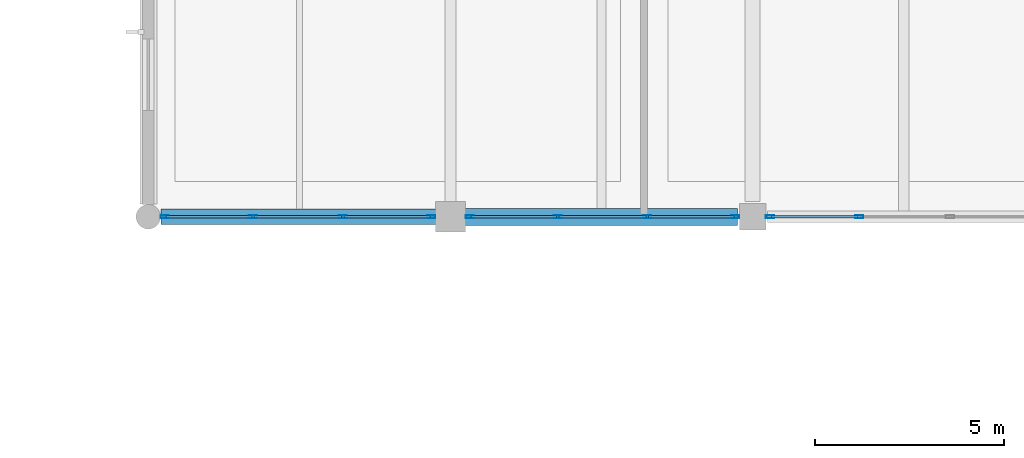
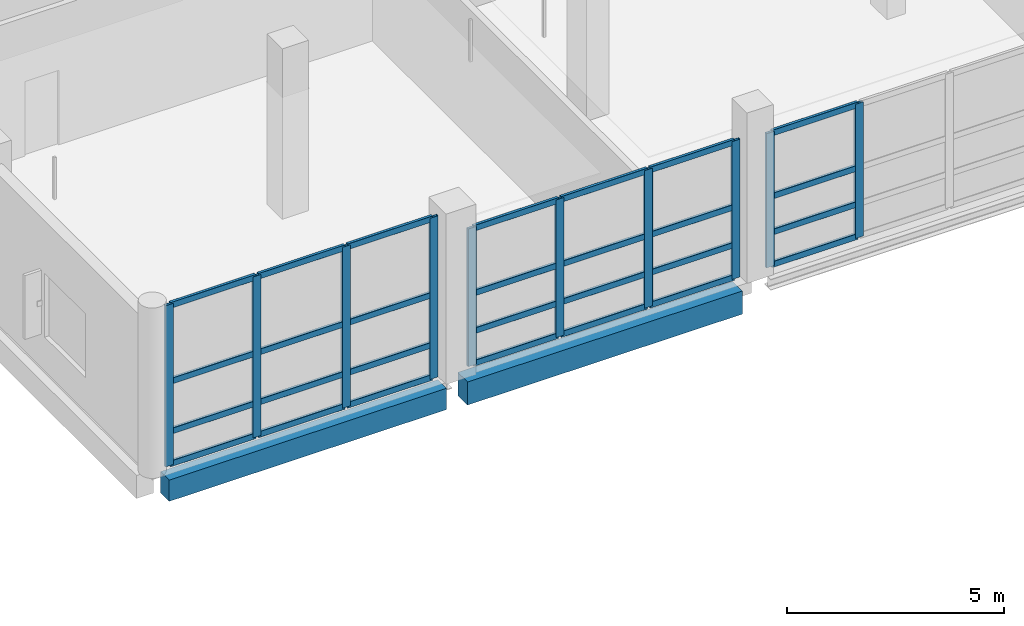
# One storey, part 15 of 46: 38 members, 2 beams, 3 elements without a shape of their own.
"""IFC4 building model written with IfcOpenShell, lengths in metres."""

import ifcopenshell
import ifcopenshell.guid

model = None  # the IFC model being written
_history = None  # IfcOwnerHistory: only IFC2X3 demands one
_inside = {}  # id of a spatial element -> (the spatial element, [elements in it])
_under = {}  # id of a project, library or spatial element -> (it, [spatial elements below it])
_declared = {}  # id of a project -> (the project, [libraries it declares])
_typed = {}  # id of a type object -> (the type object, [elements of that type])
_made_of = {}  # id of a material, layer set ... -> (it, [elements and type objects made of it])


def new_model(schema):
    """Start an empty IFC model of exactly this schema.

    Asked for "IFC4X3", IfcOpenShell would pick the latest addendum, in which some entities
    have other attributes; the version numbers below select the first issue.
    IFC2X3 requires an IfcOwnerHistory on every rooted entity: one is made here for all.
    """
    global model, _history
    if schema == "IFC4X3":
        model = ifcopenshell.file(schema_version=(4, 3, 0, 0))
    else:
        model = ifcopenshell.file(schema=schema)
    _inside.clear()
    _under.clear()
    _declared.clear()
    _typed.clear()
    _made_of.clear()
    _history = None
    if model.schema == "IFC2X3":
        org = make("IfcOrganization", Name="unknown")
        user = make(
            "IfcPersonAndOrganization",
            ThePerson=make("IfcPerson", FamilyName="unknown"),
            TheOrganization=org,
        )
        app = make(
            "IfcApplication",
            ApplicationDeveloper=org,
            Version="unknown",
            ApplicationFullName="unknown",
            ApplicationIdentifier="unknown",
        )
        _history = make(
            "IfcOwnerHistory",
            OwningUser=user,
            OwningApplication=app,
            ChangeAction="ADDED",
            CreationDate=0,
        )
    return model


def make(cls, **values):
    """One entity of the class cls with the attributes given. An attribute that is None is left unset."""
    return model.create_entity(
        cls, **{name: value for name, value in values.items() if value is not None}
    )


def rooted(cls, **values):
    """An entity with a GlobalId (a new one), such as an element, a storey or a relation."""
    return make(cls, GlobalId=ifcopenshell.guid.new(), OwnerHistory=_history, **values)


def si_unit(unit_type, name, prefix=None):
    """IfcSIUnit, for example si_unit("LENGTHUNIT", "METRE", prefix="MILLI")."""
    return make("IfcSIUnit", UnitType=unit_type, Prefix=prefix, Name=name)


def assignment(units):
    """IfcUnitAssignment: the units of a project."""
    return None if units is None else make("IfcUnitAssignment", Units=units)


def point(xyz):
    """IfcCartesianPoint."""
    return None if xyz is None else make("IfcCartesianPoint", Coordinates=xyz)


def direction(xyz):
    """IfcDirection."""
    return None if xyz is None else make("IfcDirection", DirectionRatios=xyz)


def frame(location, z_axis=None, x_axis=None):
    """IfcAxis2Placement3D, a coordinate frame: its origin and axes. An axis left out is left unset."""
    return make(
        "IfcAxis2Placement3D",
        Location=point(location),
        Axis=direction(z_axis),
        RefDirection=direction(x_axis),
    )


def frame_2d(location, x_axis=None):
    """IfcAxis2Placement2D, a coordinate frame in the plane: its origin and x axis."""
    return make(
        "IfcAxis2Placement2D", Location=point(location), RefDirection=direction(x_axis)
    )


def origin():
    """The frame at (0, 0, 0) with its axes left unset."""
    return frame((0.0, 0.0, 0.0))


def origin_2d():
    """The frame at (0, 0) in the plane with its x axis left unset."""
    return frame_2d((0.0, 0.0))


def place(relative_to, where):
    """IfcLocalPlacement: puts the frame where relative to a parent placement (None: the world)."""
    return make(
        "IfcLocalPlacement", PlacementRelTo=relative_to, RelativePlacement=where
    )


def context(
    kind, dimensions, precision=None, world=None, true_north=None, identifier=None
):
    """IfcGeometricRepresentationContext, for example the 3D "Model" context."""
    return make(
        "IfcGeometricRepresentationContext",
        ContextIdentifier=identifier,
        ContextType=kind,
        CoordinateSpaceDimension=dimensions,
        Precision=precision,
        WorldCoordinateSystem=world,
        TrueNorth=true_north,
    )


def subcontext(parent, identifier, kind, view, scale=None):
    """IfcGeometricRepresentationSubContext, for example "Body" below "Model"."""
    return make(
        "IfcGeometricRepresentationSubContext",
        ContextIdentifier=identifier,
        ContextType=kind,
        ParentContext=parent,
        TargetScale=scale,
        TargetView=view,
    )


def project(units=None, contexts=None):
    """IfcProject with its units and contexts."""
    return rooted(
        "IfcProject",
        Name="project",
        RepresentationContexts=contexts,
        UnitsInContext=assignment(units),
    )


def spatial(cls, under=None, at=None, **own):
    """A site, building, storey or space (cls), placed at a placement, below another one or the project."""
    s = rooted(cls, ObjectPlacement=at, **own)
    if under is not None:
        _under.setdefault(under.id(), (under, []))[1].append(s)
    return s


def profile(cls, at=None, kind="AREA", **sizes):
    """A parametric profile (cls). Its sizes go by their IFC names, for example OverallWidth=200.0."""
    return make(cls, ProfileType=kind, Position=at, **sizes)


def rectangle(**sizes):
    """IfcRectangleProfileDef."""
    return profile("IfcRectangleProfileDef", **sizes)


def hollow_rectangle(**sizes):
    """IfcRectangleHollowProfileDef."""
    return profile("IfcRectangleHollowProfileDef", **sizes)


def extrude(swept, where, along, depth):
    """IfcExtrudedAreaSolid: the profile swept, set in the frame where, extruded along a direction by depth."""
    return make(
        "IfcExtrudedAreaSolid",
        SweptArea=swept,
        Position=where,
        ExtrudedDirection=direction(along),
        Depth=depth,
    )


def shape(context_of_items, identifier, shape_type, items):
    """IfcShapeRepresentation: the items that make up one representation, for example the "Body"."""
    return make(
        "IfcShapeRepresentation",
        ContextOfItems=context_of_items,
        RepresentationIdentifier=identifier,
        RepresentationType=shape_type,
        Items=items,
    )


def material(Name=None, Category=None):
    """IfcMaterial."""
    return make("IfcMaterial", Name=Name, Category=Category)


def material_profile(
    of_material, cross_section, Name=None, Category=None, Priority=None
):
    """IfcMaterialProfile: a cross section and its material."""
    return make(
        "IfcMaterialProfile",
        Name=Name,
        Material=of_material,
        Profile=cross_section,
        Priority=Priority,
        Category=Category,
    )


def profile_set(profiles, Name=None, composite=None):
    """IfcMaterialProfileSet."""
    return make(
        "IfcMaterialProfileSet",
        Name=Name,
        MaterialProfiles=profiles,
        CompositeProfile=composite,
    )


def made_of(thing, what):
    """Note that an element or type object is made of a material, layer set ...; save() writes the relation."""
    if what is not None:
        _made_of.setdefault(what.id(), (what, []))[1].append(thing)
    return thing


def type_object(cls, material=None, **own):
    """A type object (cls), such as IfcWallType, which elements share."""
    return made_of(rooted(cls, **own), material)


def element(
    cls,
    number,
    at=None,
    inside=None,
    cuts=None,
    type_object=None,
    material=None,
    context=None,
    identifier="Body",
    shape_type=None,
    held_by="IfcProductDefinitionShape",
    body=None,
    shapes=None,
    **own,
):
    """One element of the class cls, such as IfcWall. Its Tag is "e" and its number.

    at: its placement. inside: the storey or other place that contains it. cuts: it is an
    opening in that element (IfcRelVoidsElement). A single representation is given by context,
    identifier, shape_type and body (its items); several are given by shapes. held_by: the class
    of the entity that holds the representations. save() writes the other relations.
    """
    e = rooted(cls, Tag="e%d" % number, ObjectPlacement=at, **own)
    if body is not None:
        shapes = [shape(context, identifier, shape_type, body)]
    if shapes is not None:
        e.Representation = make(held_by, Representations=shapes)
    if inside is not None:
        _inside.setdefault(inside.id(), (inside, []))[1].append(e)
    if cuts is not None:
        rooted(
            "IfcRelVoidsElement", RelatingBuildingElement=cuts, RelatedOpeningElement=e
        )
    if type_object is not None:
        _typed.setdefault(type_object.id(), (type_object, []))[1].append(e)
    return made_of(e, material)


def aggregate(whole, parts):
    """IfcRelAggregates: a whole, such as a stair, and the parts it consists of."""
    return rooted("IfcRelAggregates", RelatingObject=whole, RelatedObjects=parts)


def save(model, path):
    """Write the relations noted so far, then the file.

    IfcRelAggregates (storeys below a building ...), IfcRelContainedInSpatialStructure (elements
    in a storey), IfcRelDefinesByType, IfcRelAssociatesMaterial and IfcRelDeclares: one each for
    every whole, place, type object, material and project.
    """
    for whole, parts in _under.values():
        aggregate(whole, parts)
    for where, things in _inside.values():
        rooted(
            "IfcRelContainedInSpatialStructure",
            RelatedElements=things,
            RelatingStructure=where,
        )
    for kind, things in _typed.values():
        rooted("IfcRelDefinesByType", RelatedObjects=things, RelatingType=kind)
    for what, things in _made_of.values():
        rooted("IfcRelAssociatesMaterial", RelatedObjects=things, RelatingMaterial=what)
    for by, libraries in _declared.values():
        rooted("IfcRelDeclares", RelatingContext=by, RelatedDefinitions=libraries)
    model.write(path)


model = new_model("IFC4")

# Units and contexts
model_context = context("Model", 3, precision=1e-05, world=origin(), true_north=direction((0.0, 1.0)))
body_context = subcontext(model_context, "Body", "Model", "MODEL_VIEW")
ifc_project = project(units=[si_unit("LENGTHUNIT", "METRE"), si_unit("AREAUNIT", "SQUARE_METRE"), si_unit("VOLUMEUNIT", "CUBIC_METRE"), si_unit("PLANEANGLEUNIT", "RADIAN"), si_unit("MASSUNIT", "GRAM", prefix="KILO")], contexts=[model_context])

# Site, building, storey
site_placement = place(None, origin())
site = spatial("IfcSite", under=ifc_project, at=site_placement, CompositionType="ELEMENT")
building_placement = place(site_placement, origin())
building = spatial("IfcBuilding", under=site, at=building_placement, Name="Khelvaren Railside Concert Hall", CompositionType="ELEMENT")
storey_placement = place(building_placement, frame((0.0, 0.0, 19.800048828125)))
storey = spatial("IfcBuildingStorey", under=building, at=storey_placement, Name="L04", CompositionType="ELEMENT", Elevation=19.800048828125)

# Curtain wall, members
ifc_material_1 = material(Name="Triple-glazed solar-control glass", Category="glass")
curtain_wall_type_1 = type_object("IfcCurtainWallType", Name="CW14", PredefinedType="USERDEFINED", material=ifc_material_1)
curtain_wall_1_placement = place(storey_placement, origin())
curtain_wall_1 = element("IfcCurtainWall", 1, at=curtain_wall_1_placement, inside=storey, type_object=curtain_wall_type_1, Name="Unitised Curtain Wall CW-V5-L04-S-136", ObjectType="UNITISED CURTAIN WALL", PredefinedType="USERDEFINED")
ifc_material_2 = material(Name="Anodised architectural aluminium 6063-T6", Category="aluminium")
ifc_material_profile_1 = material_profile(ifc_material_2, hollow_rectangle(XDim=0.074951171875, YDim=0.219970703125, WallThickness=0.0048828125, InnerFilletRadius=0.0029296875, OuterFilletRadius=0.0048828125, at=origin_2d()), Name="CWM 75x220x5")
ifc_profile_set_1 = profile_set([ifc_material_profile_1], Name="Anodised architectural aluminium 6063-T6")
member_type_1 = type_object("IfcMemberType", Name="CWM13", PredefinedType="MULLION", material=ifc_profile_set_1)
member_1_placement = place(storey_placement, frame((143.489990234375, 91.199951171875, 0.0), z_axis=(0.0, 0.0, 1.0), x_axis=(0.0, -1.0, 0.0)))
member_1 = element("IfcMember", 2, at=member_1_placement, type_object=member_type_1, Name="CW14 mullion 1", PredefinedType="MULLION", context=body_context, shape_type="SweptSolid", body=[
    extrude(hollow_rectangle(XDim=0.074951171875, YDim=0.219970703125, WallThickness=0.0048828125, InnerFilletRadius=0.0029296875, OuterFilletRadius=0.0048828125, at=origin_2d()), origin(), (0.0, 0.0, 1.0), 4.5400390625),
])
member_2_placement = place(storey_placement, frame((141.15087890625, 91.199951171875, 0.0), z_axis=(0.0, 0.0, 1.0), x_axis=(0.0, -1.0, 0.0)))
member_2 = element("IfcMember", 3, at=member_2_placement, type_object=member_type_1, Name="CW14 mullion 2", PredefinedType="MULLION", context=body_context, shape_type="SweptSolid", body=[
    extrude(hollow_rectangle(XDim=0.074951171875, YDim=0.219970703125, WallThickness=0.0048828125, InnerFilletRadius=0.0029296875, OuterFilletRadius=0.0048828125, at=origin_2d()), origin(), (0.0, 0.0, 1.0), 4.5400390625),
])
member_3_placement = place(storey_placement, frame((138.774169921875, 91.199951171875, 0.0), z_axis=(0.0, 0.0, 1.0), x_axis=(0.0, -1.0, 0.0)))
member_3 = element("IfcMember", 4, at=member_3_placement, type_object=member_type_1, Name="CW14 mullion 3", PredefinedType="MULLION", context=body_context, shape_type="SweptSolid", body=[
    extrude(hollow_rectangle(XDim=0.074951171875, YDim=0.219970703125, WallThickness=0.0048828125, InnerFilletRadius=0.0029296875, OuterFilletRadius=0.0048828125, at=origin_2d()), origin(), (0.0, 0.0, 1.0), 4.5400390625),
])
member_4_placement = place(storey_placement, frame((136.43505859375, 91.199951171875, 0.0), z_axis=(0.0, 0.0, 1.0), x_axis=(0.0, -1.0, 0.0)))
member_4 = element("IfcMember", 5, at=member_4_placement, type_object=member_type_1, Name="CW14 mullion 4", PredefinedType="MULLION", context=body_context, shape_type="SweptSolid", body=[
    extrude(hollow_rectangle(XDim=0.074951171875, YDim=0.219970703125, WallThickness=0.0048828125, InnerFilletRadius=0.0029296875, OuterFilletRadius=0.0048828125, at=origin_2d()), origin(), (0.0, 0.0, 1.0), 4.5400390625),
])

curtain_wall_type_2 = type_object("IfcCurtainWallType", Name="CW80", PredefinedType="USERDEFINED", material=ifc_material_1)
curtain_wall_2_placement = place(storey_placement, origin())
curtain_wall_2 = element("IfcCurtainWall", 6, at=curtain_wall_2_placement, inside=storey, type_object=curtain_wall_type_2, Name="Unitised Curtain Wall CW-V5-L04-S-144", ObjectType="UNITISED CURTAIN WALL", PredefinedType="USERDEFINED")
member_5_placement = place(storey_placement, frame((151.5400390625, 91.199951171875, 0.0), z_axis=(0.0, 0.0, 1.0), x_axis=(0.0, -1.0, 0.0)))
member_5 = element("IfcMember", 7, at=member_5_placement, type_object=member_type_1, Name="CW80 mullion 1", PredefinedType="MULLION", context=body_context, shape_type="SweptSolid", body=[
    extrude(hollow_rectangle(XDim=0.074951171875, YDim=0.219970703125, WallThickness=0.0048828125, InnerFilletRadius=0.0029296875, OuterFilletRadius=0.0048828125, at=origin_2d()), origin(), (0.0, 0.0, 1.0), 3.8798828125),
])
member_6_placement = place(storey_placement, frame((149.209228515625, 91.199951171875, 0.0), z_axis=(0.0, 0.0, 1.0), x_axis=(0.0, -1.0, 0.0)))
member_6 = element("IfcMember", 8, at=member_6_placement, type_object=member_type_1, Name="CW80 mullion 2", PredefinedType="MULLION", context=body_context, shape_type="SweptSolid", body=[
    extrude(hollow_rectangle(XDim=0.074951171875, YDim=0.219970703125, WallThickness=0.0048828125, InnerFilletRadius=0.0029296875, OuterFilletRadius=0.0048828125, at=origin_2d()), origin(), (0.0, 0.0, 1.0), 3.8798828125),
])
member_7_placement = place(storey_placement, frame((146.8408203125, 91.199951171875, 0.0), z_axis=(0.0, 0.0, 1.0), x_axis=(0.0, -1.0, 0.0)))
member_7 = element("IfcMember", 9, at=member_7_placement, type_object=member_type_1, Name="CW80 mullion 3", PredefinedType="MULLION", context=body_context, shape_type="SweptSolid", body=[
    extrude(hollow_rectangle(XDim=0.074951171875, YDim=0.219970703125, WallThickness=0.0048828125, InnerFilletRadius=0.0029296875, OuterFilletRadius=0.0048828125, at=origin_2d()), origin(), (0.0, 0.0, 1.0), 3.8798828125),
])
member_8_placement = place(storey_placement, frame((144.510009765625, 91.199951171875, 0.0), z_axis=(0.0, 0.0, 1.0), x_axis=(0.0, -1.0, 0.0)))
member_8 = element("IfcMember", 10, at=member_8_placement, type_object=member_type_1, Name="CW80 mullion 4", PredefinedType="MULLION", context=body_context, shape_type="SweptSolid", body=[
    extrude(hollow_rectangle(XDim=0.074951171875, YDim=0.219970703125, WallThickness=0.0048828125, InnerFilletRadius=0.0029296875, OuterFilletRadius=0.0048828125, at=origin_2d()), origin(), (0.0, 0.0, 1.0), 3.8798828125),
])

curtain_wall_type_3 = type_object("IfcCurtainWallType", Name="CW41", PredefinedType="USERDEFINED", material=ifc_material_1)
curtain_wall_3_placement = place(storey_placement, origin())
curtain_wall_3 = element("IfcCurtainWall", 11, at=curtain_wall_3_placement, inside=storey, type_object=curtain_wall_type_3, Name="Unitised Curtain Wall CW-V5-L04-S-152", ObjectType="UNITISED CURTAIN WALL", PredefinedType="USERDEFINED")
member_9_placement = place(storey_placement, frame((154.82421875, 91.199951171875, 0.0), z_axis=(0.0, 0.0, 1.0), x_axis=(0.0, -1.0, 0.0)))
member_9 = element("IfcMember", 12, at=member_9_placement, type_object=member_type_1, Name="CW41 mullion 3", PredefinedType="MULLION", context=body_context, shape_type="SweptSolid", body=[
    extrude(hollow_rectangle(XDim=0.074951171875, YDim=0.219970703125, WallThickness=0.0048828125, InnerFilletRadius=0.0029296875, OuterFilletRadius=0.0048828125, at=origin_2d()), origin(), (0.0, 0.0, 1.0), 3.780029296875),
])
member_10_placement = place(storey_placement, frame((152.4599609375, 91.199951171875, 0.0), z_axis=(0.0, 0.0, 1.0), x_axis=(0.0, -1.0, 0.0)))
member_10 = element("IfcMember", 13, at=member_10_placement, type_object=member_type_1, Name="CW41 mullion 4", PredefinedType="MULLION", context=body_context, shape_type="SweptSolid", body=[
    extrude(hollow_rectangle(XDim=0.074951171875, YDim=0.219970703125, WallThickness=0.0048828125, InnerFilletRadius=0.0029296875, OuterFilletRadius=0.0048828125, at=origin_2d()), origin(), (0.0, 0.0, 1.0), 3.780029296875),
])

# Member
ifc_material_profile_2 = material_profile(ifc_material_2, hollow_rectangle(XDim=0.074951171875, YDim=0.1650390625, WallThickness=0.00390625, InnerFilletRadius=0.001953125, OuterFilletRadius=0.00390625, at=origin_2d()), Name="CWT 75x165x4")
ifc_profile_set_2 = profile_set([ifc_material_profile_2], Name="Anodised architectural aluminium 6063-T6")
member_type_2 = type_object("IfcMemberType", Name="CWT46", PredefinedType="USERDEFINED", material=ifc_profile_set_2)
member_11_placement = place(storey_placement, frame((143.452392578125, 91.199951171875, 0.037353515625), z_axis=(-1.0, 0.0, 0.0), x_axis=(0.0, -1.0, 0.0)))
member_11 = element("IfcMember", 14, at=member_11_placement, type_object=member_type_2, Name="CW14 transom 1.1", ObjectType="TRANSOM", PredefinedType="USERDEFINED", context=body_context, shape_type="SweptSolid", body=[
    extrude(hollow_rectangle(XDim=0.074951171875, YDim=0.1650390625, WallThickness=0.00390625, InnerFilletRadius=0.001953125, OuterFilletRadius=0.00390625, at=origin_2d()), origin(), (0.0, 0.0, 1.0), 2.26416015625),
])

member_12_placement = place(storey_placement, frame((143.452392578125, 91.199951171875, 0.949951171875), z_axis=(-1.0, 0.0, 0.0), x_axis=(0.0, -1.0, 0.0)))
member_12 = element("IfcMember", 15, at=member_12_placement, type_object=member_type_2, Name="CW14 transom 1.2", ObjectType="TRANSOM", PredefinedType="USERDEFINED", context=body_context, shape_type="SweptSolid", body=[
    extrude(hollow_rectangle(XDim=0.074951171875, YDim=0.1650390625, WallThickness=0.00390625, InnerFilletRadius=0.001953125, OuterFilletRadius=0.00390625, at=origin_2d()), origin(), (0.0, 0.0, 1.0), 2.26416015625),
])

member_13_placement = place(storey_placement, frame((143.452392578125, 91.199951171875, 2.36083984375), z_axis=(-1.0, 0.0, 0.0), x_axis=(0.0, -1.0, 0.0)))
member_13 = element("IfcMember", 16, at=member_13_placement, type_object=member_type_2, Name="CW14 transom 1.3", ObjectType="TRANSOM", PredefinedType="USERDEFINED", context=body_context, shape_type="SweptSolid", body=[
    extrude(hollow_rectangle(XDim=0.074951171875, YDim=0.1650390625, WallThickness=0.00390625, InnerFilletRadius=0.001953125, OuterFilletRadius=0.00390625, at=origin_2d()), origin(), (0.0, 0.0, 1.0), 2.26416015625),
])

member_14_placement = place(storey_placement, frame((143.452392578125, 91.199951171875, 4.50244140625), z_axis=(-1.0, 0.0, 0.0), x_axis=(0.0, -1.0, 0.0)))
member_14 = element("IfcMember", 17, at=member_14_placement, type_object=member_type_2, Name="CW14 transom 1.4", ObjectType="TRANSOM", PredefinedType="USERDEFINED", context=body_context, shape_type="SweptSolid", body=[
    extrude(hollow_rectangle(XDim=0.074951171875, YDim=0.1650390625, WallThickness=0.00390625, InnerFilletRadius=0.001953125, OuterFilletRadius=0.00390625, at=origin_2d()), origin(), (0.0, 0.0, 1.0), 2.26416015625),
])

member_15_placement = place(storey_placement, frame((141.11328125, 91.199951171875, 0.037353515625), z_axis=(-1.0, 0.0, 0.0), x_axis=(0.0, -1.0, 0.0)))
member_15 = element("IfcMember", 18, at=member_15_placement, type_object=member_type_2, Name="CW14 transom 2.1", ObjectType="TRANSOM", PredefinedType="USERDEFINED", context=body_context, shape_type="SweptSolid", body=[
    extrude(hollow_rectangle(XDim=0.074951171875, YDim=0.1650390625, WallThickness=0.00390625, InnerFilletRadius=0.001953125, OuterFilletRadius=0.00390625, at=origin_2d()), origin(), (0.0, 0.0, 1.0), 2.301513671875),
])

member_16_placement = place(storey_placement, frame((141.11328125, 91.199951171875, 0.949951171875), z_axis=(-1.0, 0.0, 0.0), x_axis=(0.0, -1.0, 0.0)))
member_16 = element("IfcMember", 19, at=member_16_placement, type_object=member_type_2, Name="CW14 transom 2.2", ObjectType="TRANSOM", PredefinedType="USERDEFINED", context=body_context, shape_type="SweptSolid", body=[
    extrude(hollow_rectangle(XDim=0.074951171875, YDim=0.1650390625, WallThickness=0.00390625, InnerFilletRadius=0.001953125, OuterFilletRadius=0.00390625, at=origin_2d()), origin(), (0.0, 0.0, 1.0), 2.301513671875),
])

member_17_placement = place(storey_placement, frame((141.11328125, 91.199951171875, 2.36083984375), z_axis=(-1.0, 0.0, 0.0), x_axis=(0.0, -1.0, 0.0)))
member_17 = element("IfcMember", 20, at=member_17_placement, type_object=member_type_2, Name="CW14 transom 2.3", ObjectType="TRANSOM", PredefinedType="USERDEFINED", context=body_context, shape_type="SweptSolid", body=[
    extrude(hollow_rectangle(XDim=0.074951171875, YDim=0.1650390625, WallThickness=0.00390625, InnerFilletRadius=0.001953125, OuterFilletRadius=0.00390625, at=origin_2d()), origin(), (0.0, 0.0, 1.0), 2.301513671875),
])

member_18_placement = place(storey_placement, frame((141.11328125, 91.199951171875, 4.50244140625), z_axis=(-1.0, 0.0, 0.0), x_axis=(0.0, -1.0, 0.0)))
member_18 = element("IfcMember", 21, at=member_18_placement, type_object=member_type_2, Name="CW14 transom 2.4", ObjectType="TRANSOM", PredefinedType="USERDEFINED", context=body_context, shape_type="SweptSolid", body=[
    extrude(hollow_rectangle(XDim=0.074951171875, YDim=0.1650390625, WallThickness=0.00390625, InnerFilletRadius=0.001953125, OuterFilletRadius=0.00390625, at=origin_2d()), origin(), (0.0, 0.0, 1.0), 2.301513671875),
])

member_19_placement = place(storey_placement, frame((138.736572265625, 91.199951171875, 0.037353515625), z_axis=(-1.0, 0.0, 0.0), x_axis=(0.0, -1.0, 0.0)))
member_19 = element("IfcMember", 22, at=member_19_placement, type_object=member_type_2, Name="CW14 transom 3.1", ObjectType="TRANSOM", PredefinedType="USERDEFINED", context=body_context, shape_type="SweptSolid", body=[
    extrude(hollow_rectangle(XDim=0.074951171875, YDim=0.1650390625, WallThickness=0.00390625, InnerFilletRadius=0.001953125, OuterFilletRadius=0.00390625, at=origin_2d()), origin(), (0.0, 0.0, 1.0), 2.26416015625),
])

member_20_placement = place(storey_placement, frame((138.736572265625, 91.199951171875, 0.949951171875), z_axis=(-1.0, 0.0, 0.0), x_axis=(0.0, -1.0, 0.0)))
member_20 = element("IfcMember", 23, at=member_20_placement, type_object=member_type_2, Name="CW14 transom 3.2", ObjectType="TRANSOM", PredefinedType="USERDEFINED", context=body_context, shape_type="SweptSolid", body=[
    extrude(hollow_rectangle(XDim=0.074951171875, YDim=0.1650390625, WallThickness=0.00390625, InnerFilletRadius=0.001953125, OuterFilletRadius=0.00390625, at=origin_2d()), origin(), (0.0, 0.0, 1.0), 2.26416015625),
])

member_21_placement = place(storey_placement, frame((138.736572265625, 91.199951171875, 2.36083984375), z_axis=(-1.0, 0.0, 0.0), x_axis=(0.0, -1.0, 0.0)))
member_21 = element("IfcMember", 24, at=member_21_placement, type_object=member_type_2, Name="CW14 transom 3.3", ObjectType="TRANSOM", PredefinedType="USERDEFINED", context=body_context, shape_type="SweptSolid", body=[
    extrude(hollow_rectangle(XDim=0.074951171875, YDim=0.1650390625, WallThickness=0.00390625, InnerFilletRadius=0.001953125, OuterFilletRadius=0.00390625, at=origin_2d()), origin(), (0.0, 0.0, 1.0), 2.26416015625),
])

member_22_placement = place(storey_placement, frame((138.736572265625, 91.199951171875, 4.50244140625), z_axis=(-1.0, 0.0, 0.0), x_axis=(0.0, -1.0, 0.0)))
member_22 = element("IfcMember", 25, at=member_22_placement, type_object=member_type_2, Name="CW14 transom 3.4", ObjectType="TRANSOM", PredefinedType="USERDEFINED", context=body_context, shape_type="SweptSolid", body=[
    extrude(hollow_rectangle(XDim=0.074951171875, YDim=0.1650390625, WallThickness=0.00390625, InnerFilletRadius=0.001953125, OuterFilletRadius=0.00390625, at=origin_2d()), origin(), (0.0, 0.0, 1.0), 2.26416015625),
])

aggregate(curtain_wall_1, [member_1, member_2, member_3, member_4, member_11, member_12, member_13, member_14, member_15, member_16, member_17, member_18, member_19, member_20, member_21, member_22])

member_23_placement = place(storey_placement, frame((151.50244140625, 91.199951171875, 0.037353515625), z_axis=(-1.0, 0.0, 0.0), x_axis=(0.0, -1.0, 0.0)))
member_23 = element("IfcMember", 26, at=member_23_placement, type_object=member_type_2, Name="CW80 transom 1.1", ObjectType="TRANSOM", PredefinedType="USERDEFINED", context=body_context, shape_type="SweptSolid", body=[
    extrude(hollow_rectangle(XDim=0.074951171875, YDim=0.1650390625, WallThickness=0.00390625, InnerFilletRadius=0.001953125, OuterFilletRadius=0.00390625, at=origin_2d()), origin(), (0.0, 0.0, 1.0), 2.255859375),
])

member_24_placement = place(storey_placement, frame((151.50244140625, 91.199951171875, 0.949951171875), z_axis=(-1.0, 0.0, 0.0), x_axis=(0.0, -1.0, 0.0)))
member_24 = element("IfcMember", 27, at=member_24_placement, type_object=member_type_2, Name="CW80 transom 1.2", ObjectType="TRANSOM", PredefinedType="USERDEFINED", context=body_context, shape_type="SweptSolid", body=[
    extrude(hollow_rectangle(XDim=0.074951171875, YDim=0.1650390625, WallThickness=0.00390625, InnerFilletRadius=0.001953125, OuterFilletRadius=0.00390625, at=origin_2d()), origin(), (0.0, 0.0, 1.0), 2.255859375),
])

member_25_placement = place(storey_placement, frame((151.50244140625, 91.199951171875, 2.017578125), z_axis=(-1.0, 0.0, 0.0), x_axis=(0.0, -1.0, 0.0)))
member_25 = element("IfcMember", 28, at=member_25_placement, type_object=member_type_2, Name="CW80 transom 1.3", ObjectType="TRANSOM", PredefinedType="USERDEFINED", context=body_context, shape_type="SweptSolid", body=[
    extrude(hollow_rectangle(XDim=0.074951171875, YDim=0.1650390625, WallThickness=0.00390625, InnerFilletRadius=0.001953125, OuterFilletRadius=0.00390625, at=origin_2d()), origin(), (0.0, 0.0, 1.0), 2.255859375),
])

member_26_placement = place(storey_placement, frame((151.50244140625, 91.199951171875, 3.842529296875), z_axis=(-1.0, 0.0, 0.0), x_axis=(0.0, -1.0, 0.0)))
member_26 = element("IfcMember", 29, at=member_26_placement, type_object=member_type_2, Name="CW80 transom 1.4", ObjectType="TRANSOM", PredefinedType="USERDEFINED", context=body_context, shape_type="SweptSolid", body=[
    extrude(hollow_rectangle(XDim=0.074951171875, YDim=0.1650390625, WallThickness=0.00390625, InnerFilletRadius=0.001953125, OuterFilletRadius=0.00390625, at=origin_2d()), origin(), (0.0, 0.0, 1.0), 2.255859375),
])

member_27_placement = place(storey_placement, frame((149.171630859375, 91.199951171875, 0.037353515625), z_axis=(-1.0, 0.0, 0.0), x_axis=(0.0, -1.0, 0.0)))
member_27 = element("IfcMember", 30, at=member_27_placement, type_object=member_type_2, Name="CW80 transom 2.1", ObjectType="TRANSOM", PredefinedType="USERDEFINED", context=body_context, shape_type="SweptSolid", body=[
    extrude(hollow_rectangle(XDim=0.074951171875, YDim=0.1650390625, WallThickness=0.00390625, InnerFilletRadius=0.001953125, OuterFilletRadius=0.00390625, at=origin_2d()), origin(), (0.0, 0.0, 1.0), 2.293212890625),
])

member_28_placement = place(storey_placement, frame((149.171630859375, 91.199951171875, 0.949951171875), z_axis=(-1.0, 0.0, 0.0), x_axis=(0.0, -1.0, 0.0)))
member_28 = element("IfcMember", 31, at=member_28_placement, type_object=member_type_2, Name="CW80 transom 2.2", ObjectType="TRANSOM", PredefinedType="USERDEFINED", context=body_context, shape_type="SweptSolid", body=[
    extrude(hollow_rectangle(XDim=0.074951171875, YDim=0.1650390625, WallThickness=0.00390625, InnerFilletRadius=0.001953125, OuterFilletRadius=0.00390625, at=origin_2d()), origin(), (0.0, 0.0, 1.0), 2.293212890625),
])

member_29_placement = place(storey_placement, frame((149.171630859375, 91.199951171875, 2.017578125), z_axis=(-1.0, 0.0, 0.0), x_axis=(0.0, -1.0, 0.0)))
member_29 = element("IfcMember", 32, at=member_29_placement, type_object=member_type_2, Name="CW80 transom 2.3", ObjectType="TRANSOM", PredefinedType="USERDEFINED", context=body_context, shape_type="SweptSolid", body=[
    extrude(hollow_rectangle(XDim=0.074951171875, YDim=0.1650390625, WallThickness=0.00390625, InnerFilletRadius=0.001953125, OuterFilletRadius=0.00390625, at=origin_2d()), origin(), (0.0, 0.0, 1.0), 2.293212890625),
])

member_30_placement = place(storey_placement, frame((149.171630859375, 91.199951171875, 3.842529296875), z_axis=(-1.0, 0.0, 0.0), x_axis=(0.0, -1.0, 0.0)))
member_30 = element("IfcMember", 33, at=member_30_placement, type_object=member_type_2, Name="CW80 transom 2.4", ObjectType="TRANSOM", PredefinedType="USERDEFINED", context=body_context, shape_type="SweptSolid", body=[
    extrude(hollow_rectangle(XDim=0.074951171875, YDim=0.1650390625, WallThickness=0.00390625, InnerFilletRadius=0.001953125, OuterFilletRadius=0.00390625, at=origin_2d()), origin(), (0.0, 0.0, 1.0), 2.293212890625),
])

member_31_placement = place(storey_placement, frame((146.80322265625, 91.199951171875, 0.037353515625), z_axis=(-1.0, 0.0, 0.0), x_axis=(0.0, -1.0, 0.0)))
member_31 = element("IfcMember", 34, at=member_31_placement, type_object=member_type_2, Name="CW80 transom 3.1", ObjectType="TRANSOM", PredefinedType="USERDEFINED", context=body_context, shape_type="SweptSolid", body=[
    extrude(hollow_rectangle(XDim=0.074951171875, YDim=0.1650390625, WallThickness=0.00390625, InnerFilletRadius=0.001953125, OuterFilletRadius=0.00390625, at=origin_2d()), origin(), (0.0, 0.0, 1.0), 2.255615234375),
])

member_32_placement = place(storey_placement, frame((146.80322265625, 91.199951171875, 0.949951171875), z_axis=(-1.0, 0.0, 0.0), x_axis=(0.0, -1.0, 0.0)))
member_32 = element("IfcMember", 35, at=member_32_placement, type_object=member_type_2, Name="CW80 transom 3.2", ObjectType="TRANSOM", PredefinedType="USERDEFINED", context=body_context, shape_type="SweptSolid", body=[
    extrude(hollow_rectangle(XDim=0.074951171875, YDim=0.1650390625, WallThickness=0.00390625, InnerFilletRadius=0.001953125, OuterFilletRadius=0.00390625, at=origin_2d()), origin(), (0.0, 0.0, 1.0), 2.255615234375),
])

member_33_placement = place(storey_placement, frame((146.80322265625, 91.199951171875, 2.017578125), z_axis=(-1.0, 0.0, 0.0), x_axis=(0.0, -1.0, 0.0)))
member_33 = element("IfcMember", 36, at=member_33_placement, type_object=member_type_2, Name="CW80 transom 3.3", ObjectType="TRANSOM", PredefinedType="USERDEFINED", context=body_context, shape_type="SweptSolid", body=[
    extrude(hollow_rectangle(XDim=0.074951171875, YDim=0.1650390625, WallThickness=0.00390625, InnerFilletRadius=0.001953125, OuterFilletRadius=0.00390625, at=origin_2d()), origin(), (0.0, 0.0, 1.0), 2.255615234375),
])

member_34_placement = place(storey_placement, frame((146.80322265625, 91.199951171875, 3.842529296875), z_axis=(-1.0, 0.0, 0.0), x_axis=(0.0, -1.0, 0.0)))
member_34 = element("IfcMember", 37, at=member_34_placement, type_object=member_type_2, Name="CW80 transom 3.4", ObjectType="TRANSOM", PredefinedType="USERDEFINED", context=body_context, shape_type="SweptSolid", body=[
    extrude(hollow_rectangle(XDim=0.074951171875, YDim=0.1650390625, WallThickness=0.00390625, InnerFilletRadius=0.001953125, OuterFilletRadius=0.00390625, at=origin_2d()), origin(), (0.0, 0.0, 1.0), 2.255615234375),
])

aggregate(curtain_wall_2, [member_5, member_6, member_7, member_8, member_23, member_24, member_25, member_26, member_27, member_28, member_29, member_30, member_31, member_32, member_33, member_34])

member_35_placement = place(storey_placement, frame((154.78662109375, 91.199951171875, 0.037353515625), z_axis=(-1.0, 0.0, 0.0), x_axis=(0.0, -1.0, 0.0)))
member_35 = element("IfcMember", 38, at=member_35_placement, type_object=member_type_2, Name="CW41 transom 3.1", ObjectType="TRANSOM", PredefinedType="USERDEFINED", context=body_context, shape_type="SweptSolid", body=[
    extrude(hollow_rectangle(XDim=0.074951171875, YDim=0.1650390625, WallThickness=0.00390625, InnerFilletRadius=0.001953125, OuterFilletRadius=0.00390625, at=origin_2d()), origin(), (0.0, 0.0, 1.0), 2.2890625),
])

member_36_placement = place(storey_placement, frame((154.78662109375, 91.199951171875, 0.949951171875), z_axis=(-1.0, 0.0, 0.0), x_axis=(0.0, -1.0, 0.0)))
member_36 = element("IfcMember", 39, at=member_36_placement, type_object=member_type_2, Name="CW41 transom 3.2", ObjectType="TRANSOM", PredefinedType="USERDEFINED", context=body_context, shape_type="SweptSolid", body=[
    extrude(hollow_rectangle(XDim=0.074951171875, YDim=0.1650390625, WallThickness=0.00390625, InnerFilletRadius=0.001953125, OuterFilletRadius=0.00390625, at=origin_2d()), origin(), (0.0, 0.0, 1.0), 2.2890625),
])

member_37_placement = place(storey_placement, frame((154.78662109375, 91.199951171875, 1.965576171875), z_axis=(-1.0, 0.0, 0.0), x_axis=(0.0, -1.0, 0.0)))
member_37 = element("IfcMember", 40, at=member_37_placement, type_object=member_type_2, Name="CW41 transom 3.3", ObjectType="TRANSOM", PredefinedType="USERDEFINED", context=body_context, shape_type="SweptSolid", body=[
    extrude(hollow_rectangle(XDim=0.074951171875, YDim=0.1650390625, WallThickness=0.00390625, InnerFilletRadius=0.001953125, OuterFilletRadius=0.00390625, at=origin_2d()), origin(), (0.0, 0.0, 1.0), 2.2890625),
])

member_38_placement = place(storey_placement, frame((154.78662109375, 91.199951171875, 3.742431640625), z_axis=(-1.0, 0.0, 0.0), x_axis=(0.0, -1.0, 0.0)))
member_38 = element("IfcMember", 41, at=member_38_placement, type_object=member_type_2, Name="CW41 transom 3.4", ObjectType="TRANSOM", PredefinedType="USERDEFINED", context=body_context, shape_type="SweptSolid", body=[
    extrude(hollow_rectangle(XDim=0.074951171875, YDim=0.1650390625, WallThickness=0.00390625, InnerFilletRadius=0.001953125, OuterFilletRadius=0.00390625, at=origin_2d()), origin(), (0.0, 0.0, 1.0), 2.2890625),
])

aggregate(curtain_wall_3, [member_9, member_10, member_35, member_36, member_37, member_38])

# Beams
ifc_material_3 = material(Name="Concrete C40/50", Category="concrete")
ifc_material_profile_3 = material_profile(ifc_material_3, rectangle(XDim=0.449951171875, YDim=0.64990234375, at=origin_2d()), Name="RCB 450x650")
ifc_profile_set_3 = profile_set([ifc_material_profile_3], Name="Concrete C40/50")
beam_type_1 = type_object("IfcBeamType", Name="SP34", PredefinedType="SPANDREL", material=ifc_profile_set_3)
beam_1_placement = place(storey_placement, frame((144.27294921875, 91.199951171875, -0.594970703125), z_axis=(1.0, 0.0, 0.0), x_axis=(0.0, 1.0, 0.0)))
element("IfcBeam", 42, at=beam_1_placement, inside=storey, type_object=beam_type_1, Name="V5 L04 Spandrel X2.3", PredefinedType="SPANDREL", context=body_context, shape_type="SweptSolid", body=[
    extrude(rectangle(XDim=0.449951171875, YDim=0.64990234375, at=origin_2d()), origin(), (0.0, 0.0, 1.0), 7.3271484375),
])
ifc_material_profile_4 = material_profile(ifc_material_3, rectangle(XDim=0.39990234375, YDim=0.60009765625, at=origin_2d()), Name="RCB 400x600")
ifc_profile_set_4 = profile_set([ifc_material_profile_4], Name="Concrete C40/50")
beam_type_2 = type_object("IfcBeamType", Name="SP75", PredefinedType="SPANDREL", material=ifc_profile_set_4)
beam_2_placement = place(storey_placement, frame((136.3359375, 91.199951171875, -0.570068359375), z_axis=(1.0, 0.0, 0.0), x_axis=(0.0, 1.0, 0.0)))
element("IfcBeam", 43, at=beam_2_placement, inside=storey, type_object=beam_type_2, Name="V5 L04 Spandrel X2.2", PredefinedType="SPANDREL", context=body_context, shape_type="SweptSolid", body=[
    extrude(rectangle(XDim=0.39990234375, YDim=0.60009765625, at=origin_2d()), origin(), (0.0, 0.0, 1.0), 7.39111328125),
])

save(model, "model.ifc")
